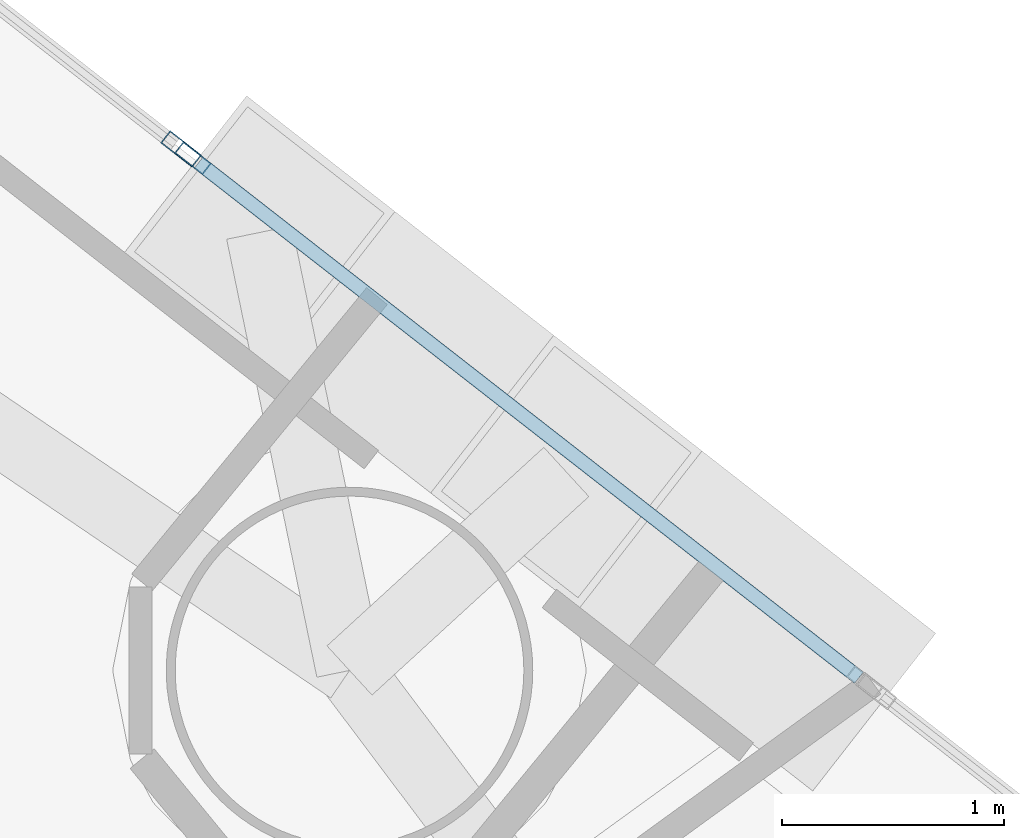
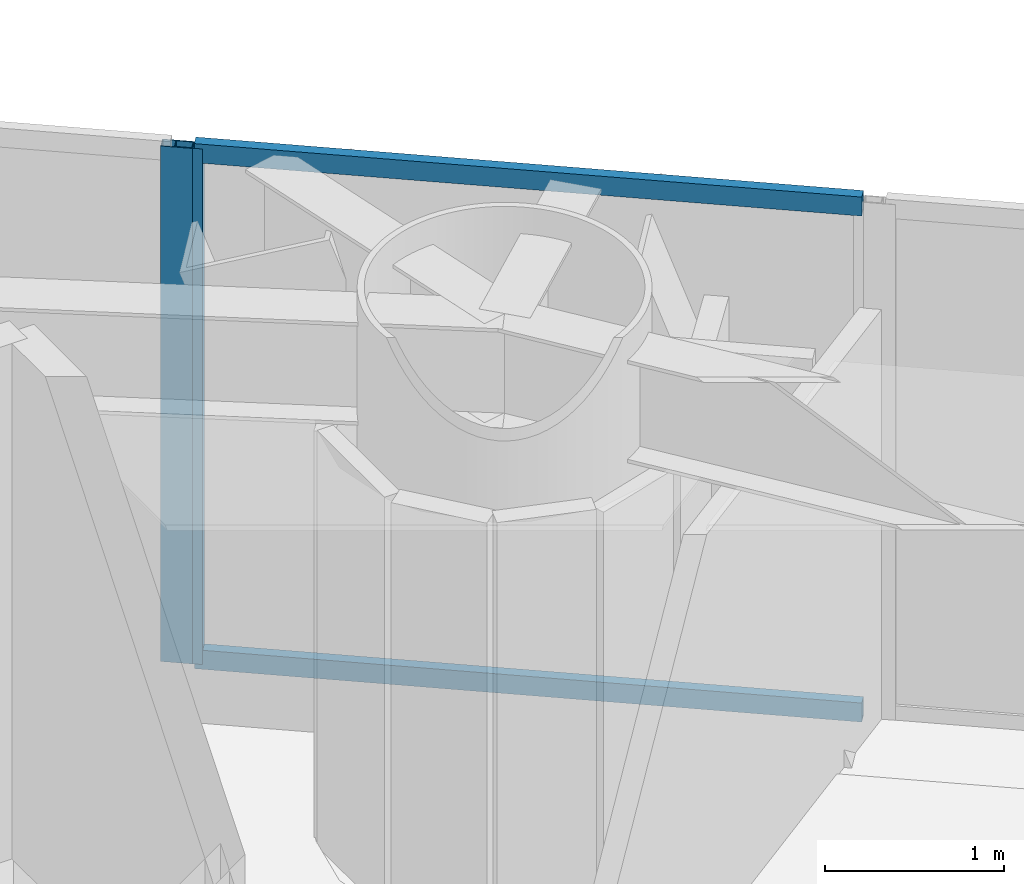
# One storey, part 11 of 23: 4 members, 2 elements without a shape of their own.
"""IFC4 building model written with IfcOpenShell, lengths in metres."""

from ifc_helpers import new_model, si_unit, direction, frame, origin, origin_2d, place, context, subcontext, project, spatial, hollow_rectangle, extrude, material, layer, layer_set, material_profile, profile_set, type_object, element, aggregate, save


model = new_model("IFC4")

# Units and contexts
model_context = context("Model", 3, precision=1e-05, world=origin(), true_north=direction((0.0, 1.0)))
body_context = subcontext(model_context, "Body", "Model", "MODEL_VIEW")
ifc_project = project(units=[si_unit("LENGTHUNIT", "METRE"), si_unit("AREAUNIT", "SQUARE_METRE"), si_unit("VOLUMEUNIT", "CUBIC_METRE"), si_unit("PLANEANGLEUNIT", "RADIAN"), si_unit("MASSUNIT", "GRAM", prefix="KILO")], contexts=[model_context])

# Site, building, storey
site_placement = place(None, origin())
site = spatial("IfcSite", under=ifc_project, at=site_placement, CompositionType="ELEMENT")
building_placement = place(site_placement, origin())
building = spatial("IfcBuilding", under=site, at=building_placement, Name="Qianvela Tower", CompositionType="ELEMENT")
storey_placement = place(building_placement, frame((0.0, 0.0, 85.800048828125)))
storey = spatial("IfcBuildingStorey", under=building, at=storey_placement, Name="L21", CompositionType="ELEMENT", Elevation=85.800048828125)

# Curtain wall, members
ifc_material_1 = material(Name="Anodised Architectural Aluminium and Insulated Spandrel Panel", Category="aluminium")
ifc_layer_1 = layer(ifc_material_1, 0.179931640625)
ifc_layer_set_1 = layer_set([ifc_layer_1], Name="Anodised Architectural Aluminium and Insulated Spandrel Panel")
curtain_wall_type_1 = type_object("IfcCurtainWallType", Name="CW-BRACEBAY", PredefinedType="USERDEFINED", material=ifc_layer_set_1)
curtain_wall_1_placement = place(storey_placement, origin())
curtain_wall_1 = element("IfcCurtainWall", 1, at=curtain_wall_1_placement, inside=storey, type_object=curtain_wall_type_1, Name="L21 CW-BRACEBAY Curtain Wall 02B", ObjectType="CURTAIN_WALL_SYSTEM", PredefinedType="USERDEFINED")
ifc_material_2 = material(Name="Anodised Architectural Aluminium 6063-T6", Category="aluminium")
ifc_material_profile_1 = material_profile(ifc_material_2, hollow_rectangle(XDim=0.06494140625, YDim=0.159912109375, WallThickness=0.0048828125, at=origin_2d()), Name="ALU-MULL-65x160")
ifc_profile_set_1 = profile_set([ifc_material_profile_1], Name="Anodised Architectural Aluminium 6063-T6")
member_type_1 = type_object("IfcMemberType", Name="CW-BRACEBAY-MULL", PredefinedType="MULLION", material=ifc_profile_set_1)
member_1_placement = place(storey_placement, frame((45.279052734375, 36.36279296875, 0.0), z_axis=(0.0, 0.0, 1.0), x_axis=(-0.615006928678, -0.788521704, 0.0)))
member_1 = element("IfcMember", 2, at=member_1_placement, type_object=member_type_1, Name="CW-9 mullion 2", PredefinedType="MULLION", context=body_context, shape_type="SweptSolid", body=[
    extrude(hollow_rectangle(XDim=0.06494140625, YDim=0.159912109375, WallThickness=0.0048828125, at=origin_2d()), origin(), (0.0, 0.0, 1.0), 3.52001953125),
])
ifc_material_3 = material(Name="Anodised Architectural Aluminium 6063-T6", Category="aluminium")
ifc_material_profile_2 = material_profile(ifc_material_3, hollow_rectangle(XDim=0.06494140625, YDim=0.1298828125, WallThickness=0.00439453125, at=origin_2d()), Name="ALU-TRAN-65x130")
ifc_profile_set_2 = profile_set([ifc_material_profile_2], Name="Anodised Architectural Aluminium 6063-T6")
member_type_2 = type_object("IfcMemberType", Name="CW-BRACEBAY-TRAN", PredefinedType="USERDEFINED", material=ifc_profile_set_2)
member_2_placement = place(storey_placement, frame((48.27734375, 34.024169921875, 0.032470703125), z_axis=(-0.788511099437, 0.615020524914, 0.0), x_axis=(-0.615020524914, -0.788511099437, 0.0)))
member_2 = element("IfcMember", 3, at=member_2_placement, type_object=member_type_2, Name="CW-9 transom 1.1", ObjectType="TRANSOM", PredefinedType="USERDEFINED", context=body_context, shape_type="SweptSolid", body=[
    extrude(hollow_rectangle(XDim=0.06494140625, YDim=0.1298828125, WallThickness=0.00439453125, at=origin_2d()), origin(), (0.0, 0.0, 1.0), 3.77001953125),
])
member_3_placement = place(storey_placement, frame((48.27734375, 34.024169921875, 3.487548828125), z_axis=(-0.788511099437, 0.615020524914, 0.0), x_axis=(-0.615020524914, -0.788511099437, 0.0)))
member_3 = element("IfcMember", 4, at=member_3_placement, type_object=member_type_2, Name="CW-9 transom 1.2", ObjectType="TRANSOM", PredefinedType="USERDEFINED", context=body_context, shape_type="SweptSolid", body=[
    extrude(hollow_rectangle(XDim=0.06494140625, YDim=0.1298828125, WallThickness=0.00439453125, at=origin_2d()), origin(), (0.0, 0.0, 1.0), 3.77001953125),
])
aggregate(curtain_wall_1, [member_1, member_2, member_3])

# Curtain wall, member
ifc_material_4 = material(Name="Anodised Architectural Aluminium and Low-E Glass", Category="aluminium")
ifc_layer_2 = layer(ifc_material_4, 0.179931640625)
ifc_layer_set_2 = layer_set([ifc_layer_2], Name="Anodised Architectural Aluminium and Low-E Glass")
curtain_wall_type_2 = type_object("IfcCurtainWallType", Name="CW-COLIV-Z12", PredefinedType="USERDEFINED", material=ifc_layer_set_2)
curtain_wall_2_placement = place(storey_placement, origin())
curtain_wall_2 = element("IfcCurtainWall", 5, at=curtain_wall_2_placement, inside=storey, type_object=curtain_wall_type_2, Name="L21 CW-COLIV-Z12 Curtain Wall 02C", ObjectType="CURTAIN_WALL_SYSTEM", PredefinedType="USERDEFINED")
ifc_material_5 = material(Name="Anodised Architectural Aluminium 6063-T6", Category="aluminium")
ifc_material_profile_3 = material_profile(ifc_material_5, hollow_rectangle(XDim=0.070068359375, YDim=0.179931640625, WallThickness=0.0048828125, at=origin_2d()), Name="ALU-MULL-70x180")
ifc_profile_set_3 = profile_set([ifc_material_profile_3], Name="Anodised Architectural Aluminium 6063-T6")
member_type_3 = type_object("IfcMemberType", Name="CW-COLIV-Z12-MULL", PredefinedType="MULLION", material=ifc_profile_set_3)
member_4_placement = place(storey_placement, frame((45.225830078125, 36.404296875, 0.0), z_axis=(0.0, 0.0, 1.0), x_axis=(-0.61501125076, -0.788518332975, 0.0)))
member_4 = element("IfcMember", 6, at=member_4_placement, type_object=member_type_3, Name="CW-3 mullion 1", PredefinedType="MULLION", context=body_context, shape_type="SweptSolid", body=[
    extrude(hollow_rectangle(XDim=0.070068359375, YDim=0.179931640625, WallThickness=0.0048828125, at=origin_2d()), origin(), (0.0, 0.0, 1.0), 3.52001953125),
])
aggregate(curtain_wall_2, [member_4])

save(model, "model.ifc")
